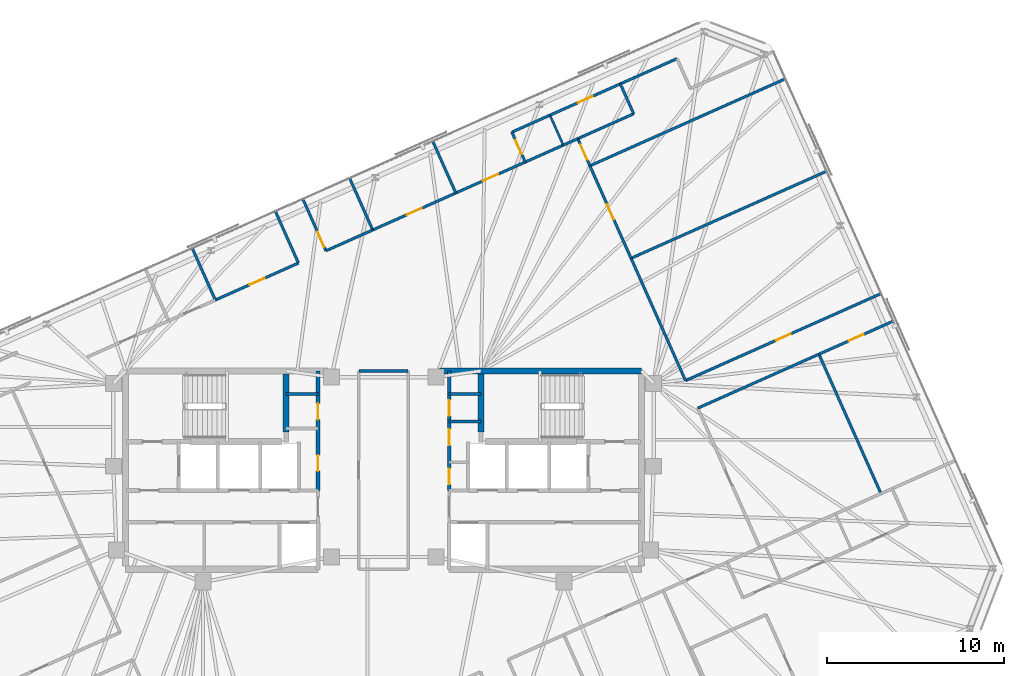
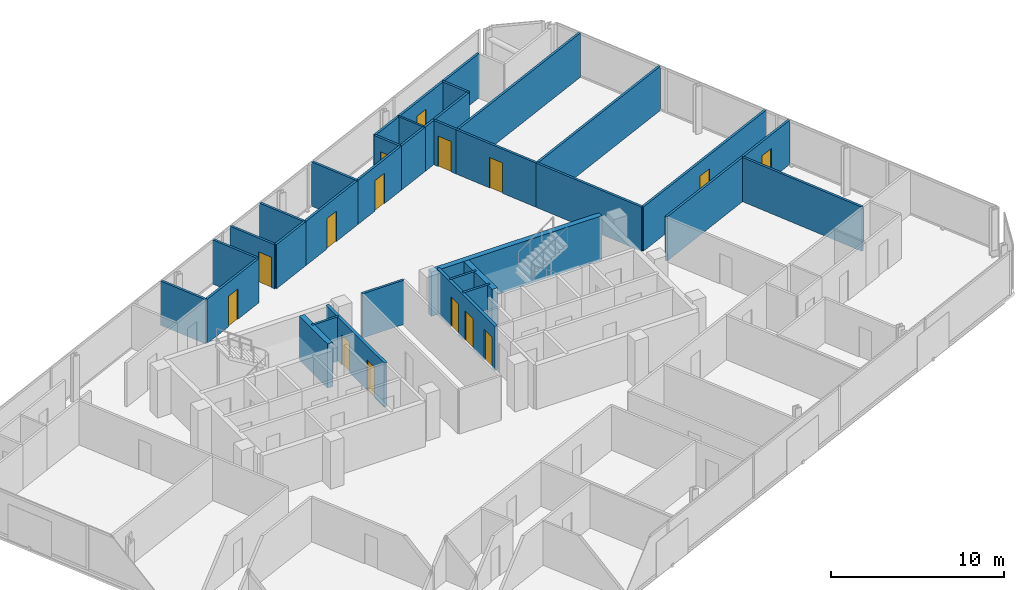
# One storey, part 16 of 18: 36 walls, 15 doors, 15 openings.
"""IFC4 building model written with IfcOpenShell, lengths in metres."""

from ifc_helpers import new_model, si_unit, direction, frame, frame_2d, origin, place, context, subcontext, project, spatial, rectangle, extrude, material, layer, layer_set, type_object, element, fill, save


model = new_model("IFC4")

# Units and contexts
model_context = context("Model", 3, precision=1e-05, world=origin(), true_north=direction((0.0, 1.0)))
body_context = subcontext(model_context, "Body", "Model", "MODEL_VIEW")
ifc_project = project(units=[si_unit("LENGTHUNIT", "METRE"), si_unit("AREAUNIT", "SQUARE_METRE"), si_unit("VOLUMEUNIT", "CUBIC_METRE"), si_unit("PLANEANGLEUNIT", "RADIAN"), si_unit("MASSUNIT", "GRAM", prefix="KILO")], contexts=[model_context])

# Site, building, storey
site_placement = place(None, origin())
site = spatial("IfcSite", under=ifc_project, at=site_placement, CompositionType="ELEMENT")
building_placement = place(site_placement, origin())
building = spatial("IfcBuilding", under=site, at=building_placement, Name="Menara Jurai Vektor", CompositionType="ELEMENT")
storey_placement = place(building_placement, frame((0.0, 0.0, 298.64990234375)))
storey = spatial("IfcBuildingStorey", under=building, at=storey_placement, Name="L80", CompositionType="ELEMENT", Elevation=298.64990234375)

# Walls
ifc_material_1 = material(Name="Gypsum Fireboard Partition", Category="gypsum")
ifc_layer_1 = layer(ifc_material_1, 0.14990234375)
ifc_layer_set_1 = layer_set([ifc_layer_1], Name="Gypsum Fireboard Partition")
wall_type_1 = type_object("IfcWallType", Name="INT-WALL-CORR-150", PredefinedType="PARTITIONING", material=ifc_layer_set_1)
for number, where, z_axis, x_axis, name in (
    (1, (-5.5, 4.300048828125, 0.0), (0.0, 0.0, 1.0), (1.0, 0.0, 0.0), "Interior Wall IW-150 L80"),
    (2, (3.699951171875, 4.300048828125, 0.0), (0.0, 0.0, 1.0), (1.0, 0.0, 0.0), "Interior Wall IW-150 L80"),
    (3, (3.699951171875, 2.75, 0.0), (0.0, 0.0, 1.0), (1.0, 0.0, 0.0), "Interior Wall IW-150 L80"),
):
    element("IfcWall", number, at=place(storey_placement, frame(where, z_axis=z_axis, x_axis=x_axis)), inside=storey, type_object=wall_type_1, Name=name, PredefinedType="PARTITIONING", context=body_context, shape_type="SweptSolid", body=[
        extrude(rectangle(XDim=1.800048828125, YDim=0.14990234375, at=frame_2d((0.89990234375, 0.0))), origin(), (0.0, 0.0, 1.0), 3.125),
    ])
wall_1_placement = place(storey_placement, frame((-1.3896484375, 5.600341796875, 0.0), z_axis=(0.0, 0.0, 1.0), x_axis=(0.99999998457, -0.000175669738, 0.0)))
element("IfcWall", 4, at=wall_1_placement, inside=storey, type_object=wall_type_1, Name="Interior Wall IW-150 L80", PredefinedType="PARTITIONING", context=body_context, shape_type="SweptSolid", body=[
    extrude(rectangle(XDim=2.779541015625, YDim=0.14990234375, at=frame_2d((1.3896484375, 0.0))), origin(), (0.0, 0.0, 1.0), 3.125),
])

# Wall, opening, door
wall_2_placement = place(storey_placement, frame((4.07958984375, 15.645263671875, 0.0), z_axis=(0.0, 0.0, 1.0), x_axis=(0.913557968328, 0.406708542452, 0.0)))
wall_2 = element("IfcWall", 5, at=wall_2_placement, inside=storey, type_object=wall_type_1, Name="Interior Wall IW-150 L80", PredefinedType="PARTITIONING", context=body_context, shape_type="SweptSolid", body=[
    extrude(rectangle(XDim=4.290771484375, YDim=0.14990234375, at=frame_2d((2.1455078125, 0.0))), origin(), (0.0, 0.0, 1.0), 3.125),
])
opening_1_placement = place(wall_2_placement, frame((1.67041015625, 0.0, 0.0)))
opening_1 = element("IfcOpeningElement", 6, at=opening_1_placement, cuts=wall_2, Name="Opening D80-13", PredefinedType="OPENING", context=body_context, shape_type="SweptSolid", body=[
    extrude(rectangle(XDim=0.949951171875, YDim=2.14990234375, at=frame_2d((0.47509765625, 1.074951171875))), frame((0.0, 0.0849609375, 0.0), z_axis=(0.0, -1.0, 0.0), x_axis=(1.0, 0.0, 0.0)), (0.0, 0.0, 1.0), 0.169921875),
])
ifc_material_2 = material(Name="Solid Core Timber Fire Door", Category="wood")
door_type_1 = type_object("IfcDoorType", Name="DR-ENTRY-950", OperationType="NOTDEFINED", PredefinedType="DOOR", material=ifc_material_2)
door_1_placement = place(opening_1_placement, origin())
door_1 = element("IfcDoor", 7, at=door_1_placement, inside=storey, type_object=door_type_1, Name="Interior Door D80-13", OperationType="SINGLE_SWING_LEFT", OverallHeight=2.14990234375, OverallWidth=0.949951171875, PredefinedType="DOOR", context=body_context, shape_type="SweptSolid", body=[
    extrude(rectangle(XDim=0.949951171875, YDim=2.14990234375, at=frame_2d((0.47509765625, 1.074951171875))), frame((0.0, 0.02490234375, 0.0), z_axis=(0.0, -1.0, 0.0), x_axis=(1.0, 0.0, 0.0)), (0.0, 0.0, 1.0), 0.050048828125),
])
fill(opening_1, door_1)

# Walls
wall_3_placement = place(storey_placement, frame((7.99951171875, 17.390380859375, 0.0), z_axis=(0.0, 0.0, 1.0), x_axis=(0.913520021435, 0.406793768926, 0.0)))
element("IfcWall", 8, at=wall_3_placement, inside=storey, type_object=wall_type_1, Name="Interior Wall IW-150 L80", PredefinedType="PARTITIONING", context=body_context, shape_type="SweptSolid", body=[
    extrude(rectangle(XDim=2.35009765625, YDim=0.14990234375, at=frame_2d((1.175048828125, 0.0))), origin(), (0.0, 0.0, 1.0), 3.125),
])
wall_4_placement = place(storey_placement, frame((10.146484375, 18.346435546875, 0.0), z_axis=(0.0, 0.0, 1.0), x_axis=(0.9135644188, 0.406694052946, 0.0)))
element("IfcWall", 9, at=wall_4_placement, inside=storey, type_object=wall_type_1, Name="Interior Wall IW-150 L80", PredefinedType="PARTITIONING", context=body_context, shape_type="SweptSolid", body=[
    extrude(rectangle(XDim=0.89697265625, YDim=0.14990234375, at=frame_2d((0.448486328125, 0.0))), origin(), (0.0, 0.0, 1.0), 3.125),
])

# Wall, opening, door
wall_5_placement = place(storey_placement, frame((-9.494873046875, 9.6015625, 0.0), z_axis=(0.0, 0.0, 1.0), x_axis=(0.913546679905, 0.406733897819, 0.0)))
wall_5 = element("IfcWall", 10, at=wall_5_placement, inside=storey, type_object=wall_type_1, Name="Interior Wall IW-150 L80", PredefinedType="PARTITIONING", context=body_context, shape_type="SweptSolid", body=[
    extrude(rectangle(XDim=5.135009765625, YDim=0.14990234375, at=frame_2d((2.5673828125, 0.0))), origin(), (0.0, 0.0, 1.0), 3.125),
])
opening_2_placement = place(wall_5_placement, frame((2.107421875, 0.0, 0.0)))
opening_2 = element("IfcOpeningElement", 11, at=opening_2_placement, cuts=wall_5, Name="Opening D80-36", PredefinedType="OPENING", context=body_context, shape_type="SweptSolid", body=[
    extrude(rectangle(XDim=0.919921875, YDim=2.14990234375, at=frame_2d((0.4599609375, 1.074951171875))), frame((0.0, 0.0849609375, 0.0), z_axis=(0.0, -1.0, 0.0), x_axis=(1.0, 0.0, 0.0)), (0.0, 0.0, 1.0), 0.169921875),
])
door_2_placement = place(opening_2_placement, origin())
door_2 = element("IfcDoor", 12, at=door_2_placement, inside=storey, type_object=door_type_1, Name="Interior Door D80-36", OperationType="SINGLE_SWING_RIGHT", OverallHeight=2.14990234375, OverallWidth=0.919921875, PredefinedType="DOOR", context=body_context, shape_type="SweptSolid", body=[
    extrude(rectangle(XDim=0.919921875, YDim=2.14990234375, at=frame_2d((0.4599609375, 1.074951171875))), frame((0.0, 0.02490234375, 0.0), z_axis=(0.0, -1.0, 0.0), x_axis=(1.0, 0.0, 0.0)), (0.0, 0.0, 1.0), 0.050048828125),
])
fill(opening_2, door_2)

# Wall
wall_6_placement = place(storey_placement, frame((-4.8037109375, 11.690185546875, 0.0), z_axis=(0.0, 0.0, 1.0), x_axis=(-0.406761717745, 0.913534293268, 0.0)))
element("IfcWall", 13, at=wall_6_placement, inside=storey, type_object=wall_type_1, Name="Interior Wall IW-150 L80", PredefinedType="PARTITIONING", context=body_context, shape_type="SweptSolid", body=[
    extrude(rectangle(XDim=3.197998046875, YDim=0.14990234375, at=frame_2d((1.59912109375, 0.0))), origin(), (0.0, 0.0, 1.0), 3.125),
])

# Wall, opening, door
wall_7_placement = place(storey_placement, frame((-3.250732421875, 12.381591796875, 0.0), z_axis=(0.0, 0.0, 1.0), x_axis=(-0.406761717745, 0.913534293268, 0.0)))
wall_7 = element("IfcWall", 14, at=wall_7_placement, inside=storey, type_object=wall_type_1, Name="Interior Wall IW-150 L80", PredefinedType="PARTITIONING", context=body_context, shape_type="SweptSolid", body=[
    extrude(rectangle(XDim=3.197998046875, YDim=0.14990234375, at=frame_2d((1.59912109375, 0.0))), origin(), (0.0, 0.0, 1.0), 3.125),
])
opening_3_placement = place(wall_7_placement, frame((0.24365234375, 0.0, 0.0)))
opening_3 = element("IfcOpeningElement", 15, at=opening_3_placement, cuts=wall_7, Name="Opening D80-37", PredefinedType="OPENING", context=body_context, shape_type="SweptSolid", body=[
    extrude(rectangle(XDim=0.919921875, YDim=2.14990234375, at=frame_2d((0.4599609375, 1.074951171875))), frame((0.0, 0.0849609375, 0.0), z_axis=(0.0, -1.0, 0.0), x_axis=(1.0, 0.0, 0.0)), (0.0, 0.0, 1.0), 0.169921875),
])
door_3_placement = place(opening_3_placement, origin())
door_3 = element("IfcDoor", 16, at=door_3_placement, inside=storey, type_object=door_type_1, Name="Interior Door D80-37", OperationType="SINGLE_SWING_LEFT", OverallHeight=2.14990234375, OverallWidth=0.919921875, PredefinedType="DOOR", context=body_context, shape_type="SweptSolid", body=[
    extrude(rectangle(XDim=0.919921875, YDim=2.14990234375, at=frame_2d((0.4599609375, 1.074951171875))), frame((0.0, 0.02490234375, 0.0), z_axis=(0.0, -1.0, 0.0), x_axis=(1.0, 0.0, 0.0)), (0.0, 0.0, 1.0), 0.050048828125),
])
fill(opening_3, door_3)

# Wall
wall_8_placement = place(storey_placement, frame((-3.250732421875, 12.381591796875, 0.0), z_axis=(0.0, 0.0, 1.0), x_axis=(0.913543011099, 0.406742138059, 0.0)))
element("IfcWall", 17, at=wall_8_placement, inside=storey, type_object=wall_type_1, Name="Interior Wall IW-150 L80", PredefinedType="PARTITIONING", context=body_context, shape_type="SweptSolid", body=[
    extrude(rectangle(XDim=2.888916015625, YDim=0.14990234375, at=frame_2d((1.4443359375, 0.0))), origin(), (0.0, 0.0, 1.0), 3.125),
])

# Wall, opening, door
wall_9_placement = place(storey_placement, frame((-0.611572265625, 13.556640625, 0.0), z_axis=(0.0, 0.0, 1.0), x_axis=(0.913546679905, 0.406733897819, 0.0)))
wall_9 = element("IfcWall", 18, at=wall_9_placement, inside=storey, type_object=wall_type_1, Name="Interior Wall IW-150 L80", PredefinedType="PARTITIONING", context=body_context, shape_type="SweptSolid", body=[
    extrude(rectangle(XDim=5.135009765625, YDim=0.14990234375, at=frame_2d((2.5673828125, 0.0))), origin(), (0.0, 0.0, 1.0), 3.125),
])
opening_4_placement = place(wall_9_placement, frame((2.107421875, 0.0, 0.0)))
opening_4 = element("IfcOpeningElement", 19, at=opening_4_placement, cuts=wall_9, Name="Opening D80-38", PredefinedType="OPENING", context=body_context, shape_type="SweptSolid", body=[
    extrude(rectangle(XDim=0.919921875, YDim=2.14990234375, at=frame_2d((0.4599609375, 1.074951171875))), frame((0.0, 0.0849609375, 0.0), z_axis=(0.0, -1.0, 0.0), x_axis=(1.0, 0.0, 0.0)), (0.0, 0.0, 1.0), 0.169921875),
])
door_4_placement = place(opening_4_placement, origin())
door_4 = element("IfcDoor", 20, at=door_4_placement, inside=storey, type_object=door_type_1, Name="Interior Door D80-38", OperationType="SINGLE_SWING_RIGHT", OverallHeight=2.14990234375, OverallWidth=0.919921875, PredefinedType="DOOR", context=body_context, shape_type="SweptSolid", body=[
    extrude(rectangle(XDim=0.919921875, YDim=2.14990234375, at=frame_2d((0.4599609375, 1.074951171875))), frame((0.0, 0.02490234375, 0.0), z_axis=(0.0, -1.0, 0.0), x_axis=(1.0, 0.0, 0.0)), (0.0, 0.0, 1.0), 0.050048828125),
])
fill(opening_4, door_4)

# Wall
wall_10_placement = place(storey_placement, frame((17.73876953125, 3.498779296875, 0.0), z_axis=(0.0, 0.0, 1.0), x_axis=(0.913545033673, 0.406737595326, 0.0)))
element("IfcWall", 21, at=wall_10_placement, inside=storey, type_object=wall_type_1, Name="Interior Wall IW-150 L80", PredefinedType="PARTITIONING", context=body_context, shape_type="SweptSolid", body=[
    extrude(rectangle(XDim=7.485107421875, YDim=0.14990234375, at=frame_2d((3.74267578125, 0.0))), origin(), (0.0, 0.0, 1.0), 3.125),
])

# Wall, opening, door
wall_11_placement = place(storey_placement, frame((24.57666015625, 6.543212890625, 0.0), z_axis=(0.0, 0.0, 1.0), x_axis=(0.913537946403, 0.406753513177, 0.0)))
wall_11 = element("IfcWall", 22, at=wall_11_placement, inside=storey, type_object=wall_type_1, Name="Interior Wall IW-150 L80", PredefinedType="PARTITIONING", context=body_context, shape_type="SweptSolid", body=[
    extrude(rectangle(XDim=4.60302734375, YDim=0.14990234375, at=frame_2d((2.301513671875, 0.0))), origin(), (0.0, 0.0, 1.0), 3.125),
])
opening_5_placement = place(wall_11_placement, frame((1.841552734375, 0.0, 0.0)))
opening_5 = element("IfcOpeningElement", 23, at=opening_5_placement, cuts=wall_11, Name="Opening D80-40", PredefinedType="OPENING", context=body_context, shape_type="SweptSolid", body=[
    extrude(rectangle(XDim=0.919921875, YDim=2.14990234375, at=frame_2d((0.4599609375, 1.074951171875))), frame((0.0, 0.0849609375, 0.0), z_axis=(0.0, -1.0, 0.0), x_axis=(1.0, 0.0, 0.0)), (0.0, 0.0, 1.0), 0.169921875),
])
door_5_placement = place(opening_5_placement, origin())
door_5 = element("IfcDoor", 24, at=door_5_placement, inside=storey, type_object=door_type_1, Name="Interior Door D80-40", OperationType="SINGLE_SWING_RIGHT", OverallHeight=2.14990234375, OverallWidth=0.919921875, PredefinedType="DOOR", context=body_context, shape_type="SweptSolid", body=[
    extrude(rectangle(XDim=0.919921875, YDim=2.14990234375, at=frame_2d((0.4599609375, 1.074951171875))), frame((0.0, 0.02490234375, 0.0), z_axis=(0.0, -1.0, 0.0), x_axis=(1.0, 0.0, 0.0)), (0.0, 0.0, 1.0), 0.050048828125),
])
fill(opening_5, door_5)

# Wall
wall_12_placement = place(storey_placement, frame((17.04736328125, 5.052001953125, 0.0), z_axis=(0.0, 0.0, 1.0), x_axis=(-0.406752543172, 0.913538378298, 0.0)))
element("IfcWall", 25, at=wall_12_placement, inside=storey, type_object=wall_type_1, Name="Interior Wall IW-150 L80", PredefinedType="PARTITIONING", context=body_context, shape_type="SweptSolid", body=[
    extrude(rectangle(XDim=7.56103515625, YDim=0.14990234375, at=frame_2d((3.780517578125, 0.0))), origin(), (0.0, 0.0, 1.0), 3.125),
])

# Wall, opening, door
wall_13_placement = place(storey_placement, frame((17.04736328125, 5.052001953125, 0.0), z_axis=(0.0, 0.0, 1.0), x_axis=(0.913549839503, 0.406726801113, 0.0)))
wall_13 = element("IfcWall", 26, at=wall_13_placement, inside=storey, type_object=wall_type_1, Name="Interior Wall IW-150 L80", PredefinedType="PARTITIONING", context=body_context, shape_type="SweptSolid", body=[
    extrude(rectangle(XDim=12.087890625, YDim=0.14990234375, at=frame_2d((6.0439453125, 0.0))), origin(), (0.0, 0.0, 1.0), 3.125),
])
opening_6_placement = place(wall_13_placement, frame((5.583984375, 0.0, 0.0)))
opening_6 = element("IfcOpeningElement", 27, at=opening_6_placement, cuts=wall_13, Name="Opening D80-41", PredefinedType="OPENING", context=body_context, shape_type="SweptSolid", body=[
    extrude(rectangle(XDim=0.919921875, YDim=2.14990234375, at=frame_2d((0.4599609375, 1.074951171875))), frame((0.0, 0.0849609375, 0.0), z_axis=(0.0, -1.0, 0.0), x_axis=(1.0, 0.0, 0.0)), (0.0, 0.0, 1.0), 0.169921875),
])
door_6_placement = place(opening_6_placement, origin())
door_6 = element("IfcDoor", 28, at=door_6_placement, inside=storey, type_object=door_type_1, Name="Interior Door D80-41", OperationType="SINGLE_SWING_LEFT", OverallHeight=2.14990234375, OverallWidth=0.919921875, PredefinedType="DOOR", context=body_context, shape_type="SweptSolid", body=[
    extrude(rectangle(XDim=0.919921875, YDim=2.14990234375, at=frame_2d((0.4599609375, 1.074951171875))), frame((0.0, 0.02490234375, 0.0), z_axis=(0.0, -1.0, 0.0), x_axis=(1.0, 0.0, 0.0)), (0.0, 0.0, 1.0), 0.050048828125),
])
fill(opening_6, door_6)

wall_14_placement = place(storey_placement, frame((13.971923828125, 11.959228515625, 0.0), z_axis=(0.0, 0.0, 1.0), x_axis=(-0.406713331746, 0.913555836159, 0.0)))
wall_14 = element("IfcWall", 29, at=wall_14_placement, inside=storey, type_object=wall_type_1, Name="Interior Wall IW-150 L80", PredefinedType="PARTITIONING", context=body_context, shape_type="SweptSolid", body=[
    extrude(rectangle(XDim=5.712890625, YDim=0.14990234375, at=frame_2d((2.8564453125, 0.0))), origin(), (0.0, 0.0, 1.0), 3.125),
])
opening_7_placement = place(wall_14_placement, frame((2.396484375, 0.0, 0.0)))
opening_7 = element("IfcOpeningElement", 30, at=opening_7_placement, cuts=wall_14, Name="Opening D80-42", PredefinedType="OPENING", context=body_context, shape_type="SweptSolid", body=[
    extrude(rectangle(XDim=0.919921875, YDim=2.14990234375, at=frame_2d((0.4599609375, 1.074951171875))), frame((0.0, 0.0849609375, 0.0), z_axis=(0.0, -1.0, 0.0), x_axis=(1.0, 0.0, 0.0)), (0.0, 0.0, 1.0), 0.169921875),
])
door_7_placement = place(opening_7_placement, origin())
door_7 = element("IfcDoor", 31, at=door_7_placement, inside=storey, type_object=door_type_1, Name="Interior Door D80-42", OperationType="SINGLE_SWING_RIGHT", OverallHeight=2.14990234375, OverallWidth=0.919921875, PredefinedType="DOOR", context=body_context, shape_type="SweptSolid", body=[
    extrude(rectangle(XDim=0.919921875, YDim=2.14990234375, at=frame_2d((0.4599609375, 1.074951171875))), frame((0.0, 0.02490234375, 0.0), z_axis=(0.0, -1.0, 0.0), x_axis=(1.0, 0.0, 0.0)), (0.0, 0.0, 1.0), 0.050048828125),
])
fill(opening_7, door_7)

wall_15_placement = place(storey_placement, frame((11.6484375, 17.17822265625, 0.0), z_axis=(0.0, 0.0, 1.0), x_axis=(-0.406786313485, 0.913523341334, 0.0)))
wall_15 = element("IfcWall", 32, at=wall_15_placement, inside=storey, type_object=wall_type_1, Name="Interior Wall IW-150 L80", PredefinedType="PARTITIONING", context=body_context, shape_type="SweptSolid", body=[
    extrude(rectangle(XDim=1.677978515625, YDim=0.14990234375, at=frame_2d((0.8388671875, 0.0))), origin(), (0.0, 0.0, 1.0), 3.125),
])
opening_8_placement = place(wall_15_placement, frame((0.37890625, 0.0, 0.0)))
opening_8 = element("IfcOpeningElement", 33, at=opening_8_placement, cuts=wall_15, Name="Opening D80-43", PredefinedType="OPENING", context=body_context, shape_type="SweptSolid", body=[
    extrude(rectangle(XDim=0.919921875, YDim=2.14990234375, at=frame_2d((0.4599609375, 1.074951171875))), frame((0.0, 0.0849609375, 0.0), z_axis=(0.0, -1.0, 0.0), x_axis=(1.0, 0.0, 0.0)), (0.0, 0.0, 1.0), 0.169921875),
])
door_8_placement = place(opening_8_placement, origin())
door_8 = element("IfcDoor", 34, at=door_8_placement, inside=storey, type_object=door_type_1, Name="Interior Door D80-43", OperationType="SINGLE_SWING_LEFT", OverallHeight=2.14990234375, OverallWidth=0.919921875, PredefinedType="DOOR", context=body_context, shape_type="SweptSolid", body=[
    extrude(rectangle(XDim=0.919921875, YDim=2.14990234375, at=frame_2d((0.4599609375, 1.074951171875))), frame((0.0, 0.02490234375, 0.0), z_axis=(0.0, -1.0, 0.0), x_axis=(1.0, 0.0, 0.0)), (0.0, 0.0, 1.0), 0.050048828125),
])
fill(opening_8, door_8)

wall_16_placement = place(storey_placement, frame((7.99951171875, 17.390380859375, 0.0), z_axis=(0.0, 0.0, 1.0), x_axis=(-0.406701600856, 0.913561058639, 0.0)))
wall_16 = element("IfcWall", 35, at=wall_16_placement, inside=storey, type_object=wall_type_1, Name="Interior Wall IW-150 L80", PredefinedType="PARTITIONING", context=body_context, shape_type="SweptSolid", body=[
    extrude(rectangle(XDim=1.85009765625, YDim=0.14990234375, at=frame_2d((0.925048828125, 0.0))), origin(), (0.0, 0.0, 1.0), 3.125),
])
opening_9_placement = place(wall_16_placement, frame((0.485107421875, 0.0, 0.0)))
opening_9 = element("IfcOpeningElement", 36, at=opening_9_placement, cuts=wall_16, Name="Opening D80-14", PredefinedType="OPENING", context=body_context, shape_type="SweptSolid", body=[
    extrude(rectangle(XDim=0.8798828125, YDim=2.14990234375, at=frame_2d((0.43994140625, 1.074951171875))), frame((0.0, 0.0849609375, 0.0), z_axis=(0.0, -1.0, 0.0), x_axis=(1.0, 0.0, 0.0)), (0.0, 0.0, 1.0), 0.169921875),
])
ifc_material_3 = material(Name="Moisture-Resistant Timber Door", Category="wood")
door_type_2 = type_object("IfcDoorType", Name="DR-BATH-880", OperationType="NOTDEFINED", PredefinedType="DOOR", material=ifc_material_3)
door_9_placement = place(opening_9_placement, origin())
door_9 = element("IfcDoor", 37, at=door_9_placement, inside=storey, type_object=door_type_2, Name="Interior Door D80-14", OperationType="SINGLE_SWING_RIGHT", OverallHeight=2.14990234375, OverallWidth=0.8798828125, PredefinedType="DOOR", context=body_context, shape_type="SweptSolid", body=[
    extrude(rectangle(XDim=0.8798828125, YDim=2.14990234375, at=frame_2d((0.43994140625, 1.074951171875))), frame((0.0, 0.02490234375, 0.0), z_axis=(0.0, -1.0, 0.0), x_axis=(1.0, 0.0, 0.0)), (0.0, 0.0, 1.0), 0.050048828125),
])
fill(opening_9, door_9)

# Wall
wall_17_placement = place(storey_placement, frame((7.2470703125, 19.08056640625, 0.0), z_axis=(0.0, 0.0, 1.0), x_axis=(0.913541436194, 0.406745675276, 0.0)))
element("IfcWall", 38, at=wall_17_placement, inside=storey, type_object=wall_type_1, Name="Interior Wall IW-150 L80", PredefinedType="PARTITIONING", context=body_context, shape_type="SweptSolid", body=[
    extrude(rectangle(XDim=2.349853515625, YDim=0.14990234375, at=frame_2d((1.1748046875, 0.0))), origin(), (0.0, 0.0, 1.0), 3.125),
])

# Wall, opening, door
wall_18_placement = place(storey_placement, frame((9.393798828125, 20.036376953125, 0.0), z_axis=(0.0, 0.0, 1.0), x_axis=(0.913554477336, 0.406716383908, 0.0)))
wall_18 = element("IfcWall", 39, at=wall_18_placement, inside=storey, type_object=wall_type_1, Name="Interior Wall IW-150 L80", PredefinedType="PARTITIONING", context=body_context, shape_type="SweptSolid", body=[
    extrude(rectangle(XDim=4.35009765625, YDim=0.14990234375, at=frame_2d((2.175048828125, 0.0))), origin(), (0.0, 0.0, 1.0), 3.125),
])
opening_10_placement = place(wall_18_placement, frame((1.72509765625, 0.0, 0.0)))
opening_10 = element("IfcOpeningElement", 40, at=opening_10_placement, cuts=wall_18, Name="Opening D80-15", PredefinedType="OPENING", context=body_context, shape_type="SweptSolid", body=[
    extrude(rectangle(XDim=0.89990234375, YDim=2.14990234375, at=frame_2d((0.449951171875, 1.074951171875))), frame((0.0, 0.0849609375, 0.0), z_axis=(0.0, -1.0, 0.0), x_axis=(1.0, 0.0, 0.0)), (0.0, 0.0, 1.0), 0.169921875),
])
ifc_material_4 = material(Name="Acoustic Timber Interior Door", Category="wood")
door_type_3 = type_object("IfcDoorType", Name="DR-ROOM-900", OperationType="NOTDEFINED", PredefinedType="DOOR", material=ifc_material_4)
door_10_placement = place(opening_10_placement, origin())
door_10 = element("IfcDoor", 41, at=door_10_placement, inside=storey, type_object=door_type_3, Name="Interior Door D80-15", OperationType="SINGLE_SWING_LEFT", OverallHeight=2.14990234375, OverallWidth=0.89990234375, PredefinedType="DOOR", context=body_context, shape_type="SweptSolid", body=[
    extrude(rectangle(XDim=0.89990234375, YDim=2.14990234375, at=frame_2d((0.449951171875, 1.074951171875))), frame((0.0, 0.02490234375, 0.0), z_axis=(0.0, -1.0, 0.0), x_axis=(1.0, 0.0, 0.0)), (0.0, 0.0, 1.0), 0.050048828125),
])
fill(opening_10, door_10)

# Walls
wall_19_placement = place(storey_placement, frame((4.07958984375, 15.645263671875, 0.0), z_axis=(0.0, 0.0, 1.0), x_axis=(-0.406761717745, 0.913534293268, 0.0)))
element("IfcWall", 42, at=wall_19_placement, inside=storey, type_object=wall_type_1, Name="Interior Wall IW-150 L80", PredefinedType="PARTITIONING", context=body_context, shape_type="SweptSolid", body=[
    extrude(rectangle(XDim=3.197998046875, YDim=0.14990234375, at=frame_2d((1.59912109375, 0.0))), origin(), (0.0, 0.0, 1.0), 3.125),
])
wall_20_placement = place(storey_placement, frame((13.367919921875, 21.8056640625, 0.0), z_axis=(0.0, 0.0, 1.0), x_axis=(0.913538066796, 0.406753242783, 0.0)))
element("IfcWall", 43, at=wall_20_placement, inside=storey, type_object=wall_type_1, Name="Interior Wall IW-150 L80", PredefinedType="PARTITIONING", context=body_context, shape_type="SweptSolid", body=[
    extrude(rectangle(XDim=3.499755859375, YDim=0.14990234375, at=frame_2d((1.75, 0.0))), origin(), (0.0, 0.0, 1.0), 3.125),
])
wall_21_placement = place(storey_placement, frame((10.9658203125, 18.711181640625, 0.0), z_axis=(0.0, 0.0, 1.0), x_axis=(0.913540199258, 0.406748453396, 0.0)))
element("IfcWall", 44, at=wall_21_placement, inside=storey, type_object=wall_type_1, Name="Interior Wall IW-150 L80", PredefinedType="PARTITIONING", context=body_context, shape_type="SweptSolid", body=[
    extrude(rectangle(XDim=3.453125, YDim=0.14990234375, at=frame_2d((1.7265625, 0.0))), origin(), (0.0, 0.0, 1.0), 3.125),
])
wall_22_placement = place(storey_placement, frame((14.120361328125, 20.11572265625, 0.0), z_axis=(0.0, 0.0, 1.0), x_axis=(-0.406750635596, 0.913539227643, 0.0)))
element("IfcWall", 45, at=wall_22_placement, inside=storey, type_object=wall_type_1, Name="Interior Wall IW-150 L80", PredefinedType="PARTITIONING", context=body_context, shape_type="SweptSolid", body=[
    extrude(rectangle(XDim=1.849853515625, YDim=0.14990234375, at=frame_2d((0.9248046875, 0.0))), origin(), (0.0, 0.0, 1.0), 3.125),
])
for number, where, z_axis, x_axis, name in (
    (46, (-9.494873046875, 9.6015625, 0.0), (0.0, 0.0, 1.0), (-0.406761717745, 0.913534293268, 0.0), "Interior Wall IW-150 L80"),
    (47, (-0.611572265625, 13.556640625, 0.0), (0.0, 0.0, 1.0), (-0.406669637818, 0.913575287361, 0.0), "Interior Wall IW-150 L80"),
):
    element("IfcWall", number, at=place(storey_placement, frame(where, z_axis=z_axis, x_axis=x_axis)), inside=storey, type_object=wall_type_1, Name=name, PredefinedType="PARTITIONING", context=body_context, shape_type="SweptSolid", body=[
        extrude(rectangle(XDim=3.197998046875, YDim=0.14990234375, at=frame_2d((1.59912109375, 0.0))), origin(), (0.0, 0.0, 1.0), 3.125),
    ])
wall_23_placement = place(storey_placement, frame((28.080810546875, -1.326904296875, 0.0), z_axis=(0.0, 0.0, 1.0), x_axis=(-0.406751025101, 0.913539054217, 0.0)))
element("IfcWall", 48, at=wall_23_placement, inside=storey, type_object=wall_type_1, Name="Interior Wall IW-150 L80", PredefinedType="PARTITIONING", context=body_context, shape_type="SweptSolid", body=[
    extrude(rectangle(XDim=8.614990234375, YDim=0.14990234375, at=frame_2d((4.3076171875, 0.0))), origin(), (0.0, 0.0, 1.0), 3.125),
])
wall_24_placement = place(storey_placement, frame((13.971923828125, 11.959228515625, 0.0), z_axis=(0.0, 0.0, 1.0), x_axis=(0.913549839503, 0.406726801113, 0.0)))
element("IfcWall", 49, at=wall_24_placement, inside=storey, type_object=wall_type_1, Name="Interior Wall IW-150 L80", PredefinedType="PARTITIONING", context=body_context, shape_type="SweptSolid", body=[
    extrude(rectangle(XDim=12.087890625, YDim=0.14990234375, at=frame_2d((6.0439453125, 0.0))), origin(), (0.0, 0.0, 1.0), 3.125),
])
wall_25_placement = place(storey_placement, frame((11.6484375, 17.17822265625, 0.0), z_axis=(0.0, 0.0, 1.0), x_axis=(0.913542334914, 0.406743656766, 0.0)))
element("IfcWall", 50, at=wall_25_placement, inside=storey, type_object=wall_type_1, Name="Interior Wall IW-150 L80", PredefinedType="PARTITIONING", context=body_context, shape_type="SweptSolid", body=[
    extrude(rectangle(XDim=12.088134765625, YDim=0.14990234375, at=frame_2d((6.0439453125, 0.0))), origin(), (0.0, 0.0, 1.0), 3.125),
])
ifc_material_5 = material(Name="Gypsum Acoustic Stud Partition", Category="gypsum")
ifc_layer_2 = layer(ifc_material_5, 0.1201171875)
ifc_layer_set_2 = layer_set([ifc_layer_2], Name="Gypsum Acoustic Stud Partition")
wall_type_2 = type_object("IfcWallType", Name="INT-WALL-PART-120", PredefinedType="PARTITIONING", material=ifc_layer_set_2)
wall_26_placement = place(storey_placement, frame((10.146484375, 18.346435546875, 0.0), z_axis=(0.0, 0.0, 1.0), x_axis=(-0.406860767979, 0.913490183571, 0.0)))
element("IfcWall", 51, at=wall_26_placement, inside=storey, type_object=wall_type_2, Name="Interior Wall IW-120 L80", PredefinedType="PARTITIONING", context=body_context, shape_type="SweptSolid", body=[
    extrude(rectangle(XDim=1.85009765625, YDim=0.1201171875, at=frame_2d((0.925048828125, 0.0))), origin(), (0.0, 0.0, 1.0), 3.125),
])

# Wall, openings, doors
ifc_material_6 = material(Name="Concrete C40/50", Category="concrete")
ifc_layer_3 = layer(ifc_material_6, 0.199951171875)
ifc_layer_set_3 = layer_set([ifc_layer_3], Name="Concrete C40/50")
wall_type_3 = type_object("IfcWallType", Name="INT-WALL-SHAFT-200", PredefinedType="STANDARD", material=ifc_layer_set_3)
wall_27_placement = place(storey_placement, frame((-3.699951171875, -1.14990234375, 0.0), z_axis=(0.0, 0.0, 1.0), x_axis=(0.0, 1.0, 0.0)))
wall_27 = element("IfcWall", 52, at=wall_27_placement, inside=storey, type_object=wall_type_3, Name="Interior Wall IW-200 L80", PredefinedType="STANDARD", context=body_context, shape_type="SweptSolid", body=[
    extrude(rectangle(XDim=6.75, YDim=0.199951171875, at=frame_2d((3.375, 0.0))), origin(), (0.0, 0.0, 1.0), 3.125),
])
opening_11_placement = place(wall_27_placement, frame((1.10009765625, 0.0, 0.0)))
opening_11 = element("IfcOpeningElement", 53, at=opening_11_placement, cuts=wall_27, Name="Opening D80-03", PredefinedType="OPENING", context=body_context, shape_type="SweptSolid", body=[
    extrude(rectangle(XDim=0.89990234375, YDim=2.14990234375, at=frame_2d((0.449951171875, 1.074951171875))), frame((0.0, 0.10986328125, 0.0), z_axis=(0.0, -1.0, 0.0), x_axis=(1.0, 0.0, 0.0)), (0.0, 0.0, 1.0), 0.219970703125),
])
opening_12_placement = place(wall_27_placement, frame((4.0, 0.0, 0.0)))
opening_12 = element("IfcOpeningElement", 54, at=opening_12_placement, cuts=wall_27, Name="Opening D80-04", PredefinedType="OPENING", context=body_context, shape_type="SweptSolid", body=[
    extrude(rectangle(XDim=0.919921875, YDim=2.14990234375, at=frame_2d((0.4599609375, 1.074951171875))), frame((0.0, 0.10986328125, 0.0), z_axis=(0.0, -1.0, 0.0), x_axis=(1.0, 0.0, 0.0)), (0.0, 0.0, 1.0), 0.219970703125),
])
door_11_placement = place(opening_11_placement, origin())
door_11 = element("IfcDoor", 55, at=door_11_placement, inside=storey, type_object=door_type_1, Name="Interior Door D80-03", OperationType="SINGLE_SWING_LEFT", OverallHeight=2.14990234375, OverallWidth=0.89990234375, PredefinedType="DOOR", context=body_context, shape_type="SweptSolid", body=[
    extrude(rectangle(XDim=0.89990234375, YDim=2.14990234375, at=frame_2d((0.449951171875, 1.074951171875))), frame((0.0, 0.02490234375, 0.0), z_axis=(0.0, -1.0, 0.0), x_axis=(1.0, 0.0, 0.0)), (0.0, 0.0, 1.0), 0.050048828125),
])
fill(opening_11, door_11)
door_12_placement = place(opening_12_placement, origin())
door_12 = element("IfcDoor", 56, at=door_12_placement, inside=storey, type_object=door_type_1, Name="Interior Door D80-04", OperationType="SINGLE_SWING_LEFT", OverallHeight=2.14990234375, OverallWidth=0.919921875, PredefinedType="DOOR", context=body_context, shape_type="SweptSolid", body=[
    extrude(rectangle(XDim=0.919921875, YDim=2.14990234375, at=frame_2d((0.4599609375, 1.074951171875))), frame((0.0, 0.02490234375, 0.0), z_axis=(0.0, -1.0, 0.0), x_axis=(1.0, 0.0, 0.0)), (0.0, 0.0, 1.0), 0.050048828125),
])
fill(opening_12, door_12)

wall_28_placement = place(storey_placement, frame((3.699951171875, -1.14990234375, 0.0), z_axis=(0.0, 0.0, 1.0), x_axis=(0.0, 1.0, 0.0)))
wall_28 = element("IfcWall", 57, at=wall_28_placement, inside=storey, type_object=wall_type_3, Name="Interior Wall IW-200 L80", PredefinedType="STANDARD", context=body_context, shape_type="SweptSolid", body=[
    extrude(rectangle(XDim=6.75, YDim=0.199951171875, at=frame_2d((3.375, 0.0))), origin(), (0.0, 0.0, 1.0), 3.125),
])
opening_13_placement = place(wall_28_placement, frame((0.35009765625, 0.0, 0.0)))
opening_13 = element("IfcOpeningElement", 58, at=opening_13_placement, cuts=wall_28, Name="Opening D80-06", PredefinedType="OPENING", context=body_context, shape_type="SweptSolid", body=[
    extrude(rectangle(XDim=0.8798828125, YDim=2.14990234375, at=frame_2d((0.43994140625, 1.074951171875))), frame((0.0, 0.10986328125, 0.0), z_axis=(0.0, -1.0, 0.0), x_axis=(1.0, 0.0, 0.0)), (0.0, 0.0, 1.0), 0.219970703125),
])
opening_14_placement = place(wall_28_placement, frame((2.550048828125, 0.0, 0.0)))
opening_14 = element("IfcOpeningElement", 59, at=opening_14_placement, cuts=wall_28, Name="Opening D80-07", PredefinedType="OPENING", context=body_context, shape_type="SweptSolid", body=[
    extrude(rectangle(XDim=0.919921875, YDim=2.14990234375, at=frame_2d((0.4599609375, 1.074951171875))), frame((0.0, 0.10986328125, 0.0), z_axis=(0.0, -1.0, 0.0), x_axis=(1.0, 0.0, 0.0)), (0.0, 0.0, 1.0), 0.219970703125),
])
opening_15_placement = place(wall_28_placement, frame((4.219970703125, 0.0, 0.0)))
opening_15 = element("IfcOpeningElement", 60, at=opening_15_placement, cuts=wall_28, Name="Opening D80-08", PredefinedType="OPENING", context=body_context, shape_type="SweptSolid", body=[
    extrude(rectangle(XDim=0.8798828125, YDim=2.14990234375, at=frame_2d((0.43994140625, 1.074951171875))), frame((0.0, 0.10986328125, 0.0), z_axis=(0.0, -1.0, 0.0), x_axis=(1.0, 0.0, 0.0)), (0.0, 0.0, 1.0), 0.219970703125),
])
door_13_placement = place(opening_13_placement, origin())
door_13 = element("IfcDoor", 61, at=door_13_placement, inside=storey, type_object=door_type_1, Name="Interior Door D80-06", OperationType="SINGLE_SWING_RIGHT", OverallHeight=2.14990234375, OverallWidth=0.8798828125, PredefinedType="DOOR", context=body_context, shape_type="SweptSolid", body=[
    extrude(rectangle(XDim=0.8798828125, YDim=2.14990234375, at=frame_2d((0.43994140625, 1.074951171875))), frame((0.0, 0.02490234375, 0.0), z_axis=(0.0, -1.0, 0.0), x_axis=(1.0, 0.0, 0.0)), (0.0, 0.0, 1.0), 0.050048828125),
])
fill(opening_13, door_13)
door_14_placement = place(opening_14_placement, origin())
door_14 = element("IfcDoor", 62, at=door_14_placement, inside=storey, type_object=door_type_1, Name="Interior Door D80-07", OperationType="SINGLE_SWING_RIGHT", OverallHeight=2.14990234375, OverallWidth=0.919921875, PredefinedType="DOOR", context=body_context, shape_type="SweptSolid", body=[
    extrude(rectangle(XDim=0.919921875, YDim=2.14990234375, at=frame_2d((0.4599609375, 1.074951171875))), frame((0.0, 0.02490234375, 0.0), z_axis=(0.0, -1.0, 0.0), x_axis=(1.0, 0.0, 0.0)), (0.0, 0.0, 1.0), 0.050048828125),
])
fill(opening_14, door_14)
door_15_placement = place(opening_15_placement, origin())
door_15 = element("IfcDoor", 63, at=door_15_placement, inside=storey, type_object=door_type_1, Name="Interior Door D80-08", OperationType="SINGLE_SWING_RIGHT", OverallHeight=2.14990234375, OverallWidth=0.8798828125, PredefinedType="DOOR", context=body_context, shape_type="SweptSolid", body=[
    extrude(rectangle(XDim=0.8798828125, YDim=2.14990234375, at=frame_2d((0.43994140625, 1.074951171875))), frame((0.0, 0.02490234375, 0.0), z_axis=(0.0, -1.0, 0.0), x_axis=(1.0, 0.0, 0.0)), (0.0, 0.0, 1.0), 0.050048828125),
])
fill(opening_15, door_15)

# Walls
ifc_material_7 = material(Name="Concrete C50/60", Category="concrete")
ifc_layer_4 = layer(ifc_material_7, 0.35009765625)
ifc_layer_set_4 = layer_set([ifc_layer_4], Name="Concrete C50/60")
wall_type_4 = type_object("IfcWallType", Name="STR-WALL-CORE350", PredefinedType="SHEAR", material=ifc_layer_set_4)
wall_29_placement = place(storey_placement, frame((-5.5, 2.14990234375, 0.0), z_axis=(0.0, 0.0, 1.0), x_axis=(0.0, 1.0, 0.0)))
element("IfcWall", 64, at=wall_29_placement, inside=storey, type_object=wall_type_4, Name="Core Shear Wall CW-W-ST L80", PredefinedType="SHEAR", context=body_context, shape_type="SweptSolid", body=[
    extrude(rectangle(XDim=3.275146484375, YDim=0.35009765625, at=frame_2d((1.6376953125, 0.0))), origin(), (0.0, 0.0, 1.0), 3.125),
])
wall_30_placement = place(storey_placement, frame((3.14990234375, 5.60009765625, 0.0), z_axis=(0.0, 0.0, 1.0), x_axis=(1.0, 0.0, 0.0)))
element("IfcWall", 65, at=wall_30_placement, inside=storey, type_object=wall_type_4, Name="Core Shear Wall CW-E-N L80", PredefinedType="SHEAR", context=body_context, shape_type="SweptSolid", body=[
    extrude(rectangle(XDim=11.41015625, YDim=0.35009765625, at=frame_2d((5.705078125, 0.0))), origin(), (0.0, 0.0, 1.0), 3.125),
])
wall_31_placement = place(storey_placement, frame((5.5, 2.14990234375, 0.0), z_axis=(0.0, 0.0, 1.0), x_axis=(0.0, 1.0, 0.0)))
element("IfcWall", 66, at=wall_31_placement, inside=storey, type_object=wall_type_4, Name="Core Shear Wall CW-E-ST L80", PredefinedType="SHEAR", context=body_context, shape_type="SweptSolid", body=[
    extrude(rectangle(XDim=3.275146484375, YDim=0.35009765625, at=frame_2d((1.6376953125, 0.0))), origin(), (0.0, 0.0, 1.0), 3.125),
])

save(model, "model.ifc")
